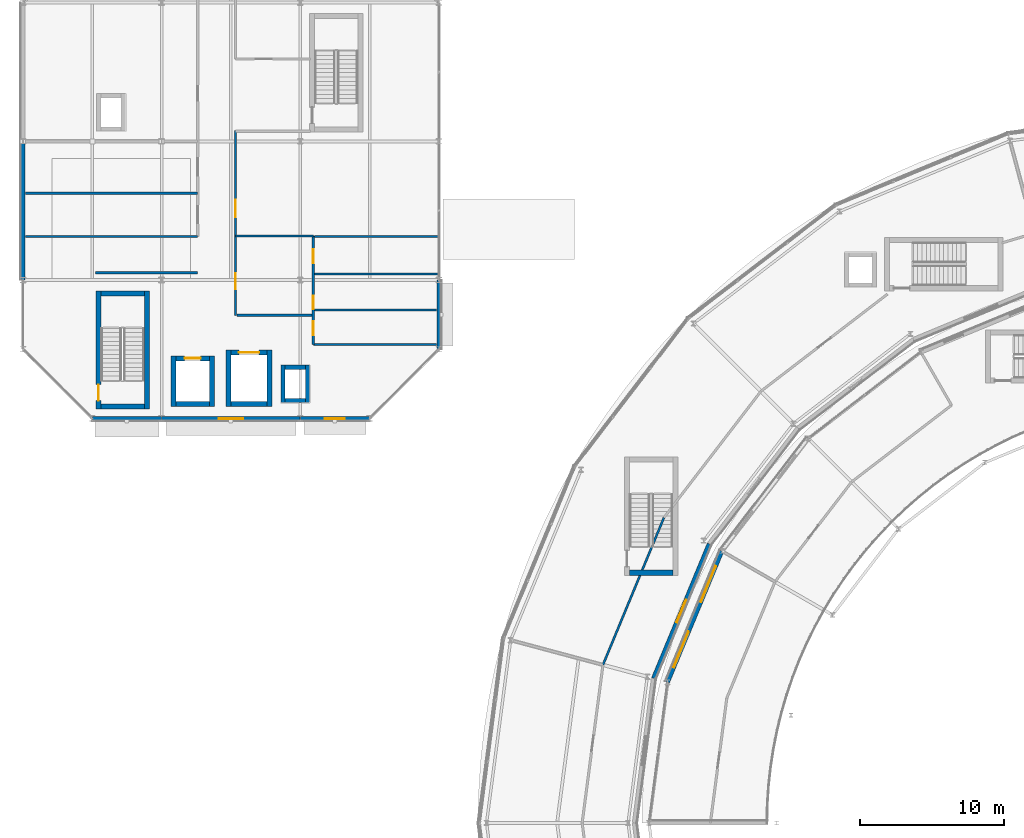
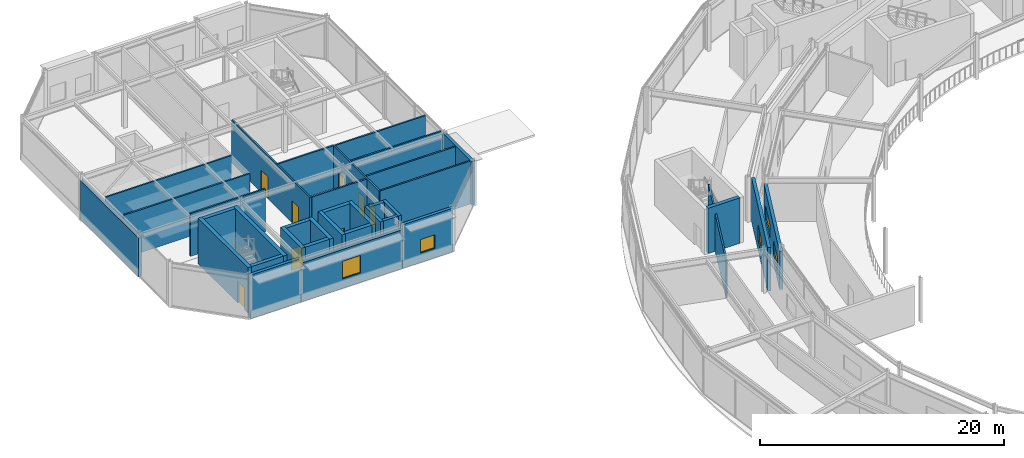
# One storey, part 103 of 133: 36 walls, 8 doors, 5 windows, 13 openings.
"""IFC4 building model written with IfcOpenShell, lengths in metres."""

from ifc_helpers import new_model, si_unit, direction, frame, frame_2d, origin, place, context, subcontext, project, spatial, rectangle, extrude, material, layer, layer_set, type_object, element, fill, save


model = new_model("IFC4")

# Units and contexts
model_context = context("Model", 3, precision=1e-05, world=origin(), true_north=direction((0.0, 1.0)))
body_context = subcontext(model_context, "Body", "Model", "MODEL_VIEW")
ifc_project = project(units=[si_unit("LENGTHUNIT", "METRE"), si_unit("AREAUNIT", "SQUARE_METRE"), si_unit("VOLUMEUNIT", "CUBIC_METRE"), si_unit("PLANEANGLEUNIT", "RADIAN"), si_unit("MASSUNIT", "GRAM", prefix="KILO")], contexts=[model_context])

# Site, building, storey
site_placement = place(None, origin())
site = spatial("IfcSite", under=ifc_project, at=site_placement, CompositionType="ELEMENT")
building_placement = place(site_placement, origin())
building = spatial("IfcBuilding", under=site, at=building_placement, Name="Almandine Court Research Institute", CompositionType="ELEMENT")
storey_placement = place(building_placement, frame((0.0, 0.0, 9.800048828125)))
storey = spatial("IfcBuildingStorey", under=building, at=storey_placement, Name="L02", CompositionType="ELEMENT", Elevation=9.800048828125)

# Walls
ifc_material_1 = material(Name="Insulated Ochre Terracotta Rainscreen Wall", Category="masonry")
ifc_layer_1 = layer(ifc_material_1, 0.2900390625)
ifc_layer_set_1 = layer_set([ifc_layer_1], Name="Insulated Ochre Terracotta Rainscreen Wall")
wall_type_1 = type_object("IfcWallType", Name="Wall-EXT-TERR-290", PredefinedType="SOLIDWALL", material=ifc_layer_set_1)
wall_1_placement = place(storey_placement, frame((6.0, 93.60400390625, 0.0), z_axis=(0.0, 0.0, 1.0), x_axis=(0.0, 1.0, 0.0)))
element("IfcWall", 1, at=wall_1_placement, inside=storey, type_object=wall_type_1, Name="L02 Cleanroom West Wall 2", PredefinedType="SOLIDWALL", context=body_context, shape_type="SweptSolid", body=[
    extrude(rectangle(XDim=9.592041015625, YDim=0.2900390625, at=frame_2d((4.7958984375, 0.0))), origin(), (0.0, 0.0, 1.0), 3.884033203125),
])
wall_2_placement = place(storey_placement, frame((34.800048828125, 93.595947265625, 0.0), z_axis=(0.0, 0.0, 1.0), x_axis=(0.0, -1.0, 0.0)))
element("IfcWall", 2, at=wall_2_placement, inside=storey, type_object=wall_type_1, Name="L02 Cleanroom East Wall 1", PredefinedType="SOLIDWALL", context=body_context, shape_type="SweptSolid", body=[
    extrude(rectangle(XDim=4.7919921875, YDim=0.2900390625, at=frame_2d((2.39599609375, 0.0))), origin(), (0.0, 0.0, 1.0), 4.369873046875),
])

# Wall, opening, window
wall_3_placement = place(storey_placement, frame((29.99609375, 84.0, 0.0), z_axis=(0.0, 0.0, 1.0), x_axis=(-1.0, 0.0, 0.0)))
wall_3 = element("IfcWall", 3, at=wall_3_placement, inside=storey, type_object=wall_type_1, Name="L02 Cleanroom South Wall 1", PredefinedType="SOLIDWALL", context=body_context, shape_type="SweptSolid", body=[
    extrude(rectangle(XDim=4.7919921875, YDim=0.2900390625, at=frame_2d((2.39599609375, 0.0))), origin(), (0.0, 0.0, 1.0), 4.369873046875),
])
opening_1_placement = place(wall_3_placement, frame((1.7060546875, 0.0, 0.949951171875)))
opening_1 = element("IfcOpeningElement", 4, at=opening_1_placement, cuts=wall_3, Name="Opening WN-29", PredefinedType="OPENING", context=body_context, shape_type="SweptSolid", body=[
    extrude(rectangle(XDim=1.3798828125, YDim=1.35009765625, at=frame_2d((0.68994140625, 0.675048828125))), frame((0.0, 0.155029296875, 0.0), z_axis=(0.0, -1.0, 0.0), x_axis=(1.0, 0.0, 0.0)), (0.0, 0.0, 1.0), 0.31005859375),
])
ifc_material_2 = material(Name="Thermally Broken Low-E Double-Glazed Window", Category="glass")
window_type_1 = type_object("IfcWindowType", Name="Win-WN-29-1380x1350", PartitioningType="SINGLE_PANEL", PredefinedType="WINDOW", material=ifc_material_2)
window_1_placement = place(opening_1_placement, origin())
window_1 = element("IfcWindow", 5, at=window_1_placement, inside=storey, type_object=window_type_1, Name="L02 Modular Recessed Low-E Window 45", OverallHeight=1.35009765625, OverallWidth=1.3798828125, PartitioningType="SINGLE_PANEL", PredefinedType="WINDOW", context=body_context, shape_type="SweptSolid", body=[
    extrude(rectangle(XDim=1.3798828125, YDim=1.35009765625, at=frame_2d((0.68994140625, 0.675048828125))), frame((0.0, 0.030029296875, 0.0), z_axis=(0.0, -1.0, 0.0), x_axis=(1.0, 0.0, 0.0)), (0.0, 0.0, 1.0), 0.06005859375),
])
fill(opening_1, window_1)

wall_4_placement = place(storey_placement, frame((25.196044921875, 84.0, 0.0), z_axis=(0.0, 0.0, 1.0), x_axis=(-1.0, 0.0, 0.0)))
wall_4 = element("IfcWall", 6, at=wall_4_placement, inside=storey, type_object=wall_type_1, Name="L02 Cleanroom South Wall 2", PredefinedType="SOLIDWALL", context=body_context, shape_type="SweptSolid", body=[
    extrude(rectangle(XDim=9.592041015625, YDim=0.2900390625, at=frame_2d((4.7958984375, 0.0))), origin(), (0.0, 0.0, 1.0), 3.884033203125),
])
opening_2_placement = place(wall_4_placement, frame((3.94091796875, 0.0, 0.949951171875)))
opening_2 = element("IfcOpeningElement", 7, at=opening_2_placement, cuts=wall_4, Name="Opening WN-30", PredefinedType="OPENING", context=body_context, shape_type="SweptSolid", body=[
    extrude(rectangle(XDim=1.7099609375, YDim=1.75, at=frame_2d((0.85498046875, 0.875))), frame((0.0, 0.155029296875, 0.0), z_axis=(0.0, -1.0, 0.0), x_axis=(1.0, 0.0, 0.0)), (0.0, 0.0, 1.0), 0.31005859375),
])
window_type_2 = type_object("IfcWindowType", Name="Win-WN-30-1710x1750", PartitioningType="SINGLE_PANEL", PredefinedType="WINDOW", material=ifc_material_2)
window_2_placement = place(opening_2_placement, origin())
window_2 = element("IfcWindow", 8, at=window_2_placement, inside=storey, type_object=window_type_2, Name="L02 Modular Recessed Low-E Window 46", OverallHeight=1.75, OverallWidth=1.7099609375, PartitioningType="SINGLE_PANEL", PredefinedType="WINDOW", context=body_context, shape_type="SweptSolid", body=[
    extrude(rectangle(XDim=1.7099609375, YDim=1.75, at=frame_2d((0.85498046875, 0.875))), frame((0.0, 0.030029296875, 0.0), z_axis=(0.0, -1.0, 0.0), x_axis=(1.0, 0.0, 0.0)), (0.0, 0.0, 1.0), 0.06005859375),
])
fill(opening_2, window_2)

# Wall
wall_5_placement = place(storey_placement, frame((15.595947265625, 84.0, 0.0), z_axis=(0.0, 0.0, 1.0), x_axis=(-1.0, 0.0, 0.0)))
element("IfcWall", 9, at=wall_5_placement, inside=storey, type_object=wall_type_1, Name="L02 Cleanroom South Wall 3", PredefinedType="SOLIDWALL", context=body_context, shape_type="SweptSolid", body=[
    extrude(rectangle(XDim=4.7919921875, YDim=0.2900390625, at=frame_2d((2.39599609375, 0.0))), origin(), (0.0, 0.0, 1.0), 4.369873046875),
])

# Wall, opening, window
wall_6_placement = place(storey_placement, frame((53.51708984375, 75.324951171875, 0.0), z_axis=(0.0, 0.0, 1.0), x_axis=(-0.382733240508, -0.92385889973, 0.0)))
wall_6 = element("IfcWall", 10, at=wall_6_placement, inside=storey, type_object=wall_type_1, Name="L02 Drum Inner Gallery Wall 10", PredefinedType="SOLIDWALL", context=body_context, shape_type="SweptSolid", body=[
    extrude(rectangle(XDim=10.08056640625, YDim=0.2900390625, at=frame_2d((5.040283203125, 0.0))), origin(), (0.0, 0.0, 1.0), 4.369873046875),
])
opening_3_placement = place(wall_6_placement, frame((4.18505859375, 0.0, 0.949951171875)))
opening_3 = element("IfcOpeningElement", 11, at=opening_3_placement, cuts=wall_6, Name="Opening WN-23", PredefinedType="OPENING", context=body_context, shape_type="SweptSolid", body=[
    extrude(rectangle(XDim=1.7099609375, YDim=1.590087890625, at=frame_2d((0.85498046875, 0.794921875))), frame((0.0, 0.155029296875, 0.0), z_axis=(0.0, -1.0, 0.0), x_axis=(1.0, 0.0, 0.0)), (0.0, 0.0, 1.0), 0.31005859375),
])
window_type_3 = type_object("IfcWindowType", Name="Win-WN-23-1710x1590", PartitioningType="SINGLE_PANEL", PredefinedType="WINDOW", material=ifc_material_2)
window_3_placement = place(opening_3_placement, origin())
window_3 = element("IfcWindow", 12, at=window_3_placement, inside=storey, type_object=window_type_3, Name="L02 Modular Recessed Low-E Window 270", OverallHeight=1.590087890625, OverallWidth=1.7099609375, PartitioningType="SINGLE_PANEL", PredefinedType="WINDOW", context=body_context, shape_type="SweptSolid", body=[
    extrude(rectangle(XDim=1.7099609375, YDim=1.590087890625, at=frame_2d((0.85498046875, 0.794921875))), frame((0.0, 0.030029296875, 0.0), z_axis=(0.0, -1.0, 0.0), x_axis=(1.0, 0.0, 0.0)), (0.0, 0.0, 1.0), 0.06005859375),
])
fill(opening_3, window_3)

# Wall, openings, windows
wall_7_placement = place(storey_placement, frame((50.634033203125, 65.748046875, 0.0), z_axis=(0.0, 0.0, 1.0), x_axis=(0.382759423628, 0.923848052238, 0.0)))
wall_7 = element("IfcWall", 13, at=wall_7_placement, inside=storey, type_object=wall_type_1, Name="L02 Interaction Atrium Perimeter Wall 10", PredefinedType="SOLIDWALL", context=body_context, shape_type="SweptSolid", body=[
    extrude(rectangle(XDim=9.82080078125, YDim=0.2900390625, at=frame_2d((4.910400390625, 0.0))), origin(), (0.0, 0.0, 1.0), 3.81103515625),
])
opening_4_placement = place(wall_7_placement, frame((1.10498046875, 0.0, 0.949951171875)))
opening_4 = element("IfcOpeningElement", 14, at=opening_4_placement, cuts=wall_7, Name="Opening WN-19", PredefinedType="OPENING", context=body_context, shape_type="SweptSolid", body=[
    extrude(rectangle(XDim=2.699951171875, YDim=1.39990234375, at=frame_2d((1.35009765625, 0.699951171875))), frame((0.0, 0.155029296875, 0.0), z_axis=(0.0, -1.0, 0.0), x_axis=(1.0, 0.0, 0.0)), (0.0, 0.0, 1.0), 0.31005859375),
])
opening_5_placement = place(wall_7_placement, frame((6.01611328125, 0.0, 0.949951171875)))
opening_5 = element("IfcOpeningElement", 15, at=opening_5_placement, cuts=wall_7, Name="Opening WN-19", PredefinedType="OPENING", context=body_context, shape_type="SweptSolid", body=[
    extrude(rectangle(XDim=2.699951171875, YDim=1.39990234375, at=frame_2d((1.35009765625, 0.699951171875))), frame((0.0, 0.155029296875, 0.0), z_axis=(0.0, -1.0, 0.0), x_axis=(1.0, 0.0, 0.0)), (0.0, 0.0, 1.0), 0.31005859375),
])
window_type_4 = type_object("IfcWindowType", Name="Win-WN-19-2700x1400", PartitioningType="SINGLE_PANEL", PredefinedType="WINDOW", material=ifc_material_2)
window_4_placement = place(opening_4_placement, origin())
window_4 = element("IfcWindow", 16, at=window_4_placement, inside=storey, type_object=window_type_4, Name="L02 Modular Recessed Low-E Window 369", OverallHeight=1.39990234375, OverallWidth=2.699951171875, PartitioningType="SINGLE_PANEL", PredefinedType="WINDOW", context=body_context, shape_type="SweptSolid", body=[
    extrude(rectangle(XDim=2.699951171875, YDim=1.39990234375, at=frame_2d((1.35009765625, 0.699951171875))), frame((0.0, 0.030029296875, 0.0), z_axis=(0.0, -1.0, 0.0), x_axis=(1.0, 0.0, 0.0)), (0.0, 0.0, 1.0), 0.06005859375),
])
fill(opening_4, window_4)
window_5_placement = place(opening_5_placement, origin())
window_5 = element("IfcWindow", 17, at=window_5_placement, inside=storey, type_object=window_type_4, Name="L02 Modular Recessed Low-E Window 370", OverallHeight=1.39990234375, OverallWidth=2.699951171875, PartitioningType="SINGLE_PANEL", PredefinedType="WINDOW", context=body_context, shape_type="SweptSolid", body=[
    extrude(rectangle(XDim=2.699951171875, YDim=1.39990234375, at=frame_2d((1.35009765625, 0.699951171875))), frame((0.0, 0.030029296875, 0.0), z_axis=(0.0, -1.0, 0.0), x_axis=(1.0, 0.0, 0.0)), (0.0, 0.0, 1.0), 0.06005859375),
])
fill(opening_5, window_5)

# Walls
ifc_material_3 = material(Name="Acoustic Steel-Stud Gypsum Partition Wall", Category="steel")
ifc_layer_2 = layer(ifc_material_3, 0.14990234375)
ifc_layer_set_2 = layer_set([ifc_layer_2], Name="Acoustic Steel-Stud Gypsum Partition Wall")
wall_type_2 = type_object("IfcWallType", Name="Wall-PART-150", PredefinedType="PARTITIONING", material=ifc_layer_set_2)
wall_8_placement = place(storey_placement, frame((26.179931640625, 91.52001953125, 0.0), z_axis=(0.0, 0.0, 1.0), x_axis=(1.0, 0.0, 0.0)))
element("IfcWall", 18, at=wall_8_placement, inside=storey, type_object=wall_type_2, Name="L02 Interior Partition W-V3-L02-WCH-1", PredefinedType="PARTITIONING", context=body_context, shape_type="SweptSolid", body=[
    extrude(rectangle(XDim=8.4599609375, YDim=0.14990234375, at=frame_2d((4.22998046875, 0.0))), origin(), (0.0, 0.0, 1.0), 4.300048828125),
])
for number, where, z_axis, x_axis, name in (
    (19, (26.179931640625, 94.02001953125, 0.0), (0.0, 0.0, 1.0), (1.0, 0.0, 0.0), "L02 Interior Partition W-V3-L02-WCH-2"),
    (20, (26.179931640625, 96.60009765625, 0.0), (0.0, 0.0, 1.0), (1.0, 0.0, 0.0), "L02 Interior Partition W-V3-L02-WCH-3"),
):
    element("IfcWall", number, at=place(storey_placement, frame(where, z_axis=z_axis, x_axis=x_axis)), inside=storey, type_object=wall_type_2, Name=name, PredefinedType="PARTITIONING", context=body_context, shape_type="SweptSolid", body=[
        extrude(rectangle(XDim=8.56005859375, YDim=0.14990234375, at=frame_2d((4.280029296875, 0.0))), origin(), (0.0, 0.0, 1.0), 4.300048828125),
    ])
wall_9_placement = place(storey_placement, frame((26.10009765625, 89.1201171875, 0.0), z_axis=(0.0, 0.0, 1.0), x_axis=(1.0, 0.0, 0.0)))
element("IfcWall", 21, at=wall_9_placement, inside=storey, type_object=wall_type_2, Name="L02 Interior Partition W-V3-L02-WCS", PredefinedType="PARTITIONING", context=body_context, shape_type="SweptSolid", body=[
    extrude(rectangle(XDim=8.539794921875, YDim=0.14990234375, at=frame_2d((4.27001953125, 0.0))), origin(), (0.0, 0.0, 1.0), 4.300048828125),
])

# Wall, openings, doors
wall_10_placement = place(storey_placement, frame((26.10009765625, 89.1201171875, 0.0), z_axis=(0.0, 0.0, 1.0), x_axis=(0.0, 1.0, 0.0)))
wall_10 = element("IfcWall", 22, at=wall_10_placement, inside=storey, type_object=wall_type_2, Name="L02 Interior Partition W-V3-L02-WC-ALL", PredefinedType="PARTITIONING", context=body_context, shape_type="SweptSolid", body=[
    extrude(rectangle(XDim=7.52978515625, YDim=0.14990234375, at=frame_2d((3.764892578125, 0.0))), origin(), (0.0, 0.0, 1.0), 4.300048828125),
])
opening_6_placement = place(wall_10_placement, frame((0.659912109375, 0.0, 0.0)))
opening_6 = element("IfcOpeningElement", 23, at=opening_6_placement, cuts=wall_10, Name="Opening D-01", PredefinedType="OPENING", context=body_context, shape_type="SweptSolid", body=[
    extrude(rectangle(XDim=0.949951171875, YDim=2.10009765625, at=frame_2d((0.47509765625, 1.050048828125))), frame((0.0, 0.0849609375, 0.0), z_axis=(0.0, -1.0, 0.0), x_axis=(1.0, 0.0, 0.0)), (0.0, 0.0, 1.0), 0.169921875),
])
opening_7_placement = place(wall_10_placement, frame((2.43994140625, 0.0, 0.0)))
opening_7 = element("IfcOpeningElement", 24, at=opening_7_placement, cuts=wall_10, Name="Opening D-01", PredefinedType="OPENING", context=body_context, shape_type="SweptSolid", body=[
    extrude(rectangle(XDim=0.949951171875, YDim=2.10009765625, at=frame_2d((0.47509765625, 1.050048828125))), frame((0.0, 0.0849609375, 0.0), z_axis=(0.0, -1.0, 0.0), x_axis=(1.0, 0.0, 0.0)), (0.0, 0.0, 1.0), 0.169921875),
])
opening_8_placement = place(wall_10_placement, frame((5.639892578125, 0.0, 0.0)))
opening_8 = element("IfcOpeningElement", 25, at=opening_8_placement, cuts=wall_10, Name="Opening D-01", PredefinedType="OPENING", context=body_context, shape_type="SweptSolid", body=[
    extrude(rectangle(XDim=0.949951171875, YDim=2.10009765625, at=frame_2d((0.47509765625, 1.050048828125))), frame((0.0, 0.0849609375, 0.0), z_axis=(0.0, -1.0, 0.0), x_axis=(1.0, 0.0, 0.0)), (0.0, 0.0, 1.0), 0.169921875),
])
ifc_material_4 = material(Name="Solid-Core Timber Acoustic Room Door", Category="wood")
door_type_1 = type_object("IfcDoorType", Name="Door-INT-950", OperationType="NOTDEFINED", PredefinedType="DOOR", material=ifc_material_4)
door_1_placement = place(opening_6_placement, origin())
door_1 = element("IfcDoor", 26, at=door_1_placement, inside=storey, type_object=door_type_1, Name="L02 V3 Male Toilet Door", OperationType="SINGLE_SWING_RIGHT", OverallHeight=2.10009765625, OverallWidth=0.949951171875, PredefinedType="DOOR", context=body_context, shape_type="SweptSolid", body=[
    extrude(rectangle(XDim=0.949951171875, YDim=2.10009765625, at=frame_2d((0.47509765625, 1.050048828125))), frame((0.0, 0.02490234375, 0.0), z_axis=(0.0, -1.0, 0.0), x_axis=(1.0, 0.0, 0.0)), (0.0, 0.0, 1.0), 0.050048828125),
])
fill(opening_6, door_1)
door_2_placement = place(opening_7_placement, origin())
door_2 = element("IfcDoor", 27, at=door_2_placement, inside=storey, type_object=door_type_1, Name="L02 V3 Female Toilet Door", OperationType="SINGLE_SWING_LEFT", OverallHeight=2.10009765625, OverallWidth=0.949951171875, PredefinedType="DOOR", context=body_context, shape_type="SweptSolid", body=[
    extrude(rectangle(XDim=0.949951171875, YDim=2.10009765625, at=frame_2d((0.47509765625, 1.050048828125))), frame((0.0, 0.02490234375, 0.0), z_axis=(0.0, -1.0, 0.0), x_axis=(1.0, 0.0, 0.0)), (0.0, 0.0, 1.0), 0.050048828125),
])
fill(opening_7, door_2)
door_3_placement = place(opening_8_placement, origin())
door_3 = element("IfcDoor", 28, at=door_3_placement, inside=storey, type_object=door_type_1, Name="L02 V3 Accessible WC Door", OperationType="SINGLE_SWING_RIGHT", OverallHeight=2.10009765625, OverallWidth=0.949951171875, PredefinedType="DOOR", context=body_context, shape_type="SweptSolid", body=[
    extrude(rectangle(XDim=0.949951171875, YDim=2.10009765625, at=frame_2d((0.47509765625, 1.050048828125))), frame((0.0, 0.02490234375, 0.0), z_axis=(0.0, -1.0, 0.0), x_axis=(1.0, 0.0, 0.0)), (0.0, 0.0, 1.0), 0.050048828125),
])
fill(opening_8, door_3)

# Walls
wall_11_placement = place(storey_placement, frame((6.159912109375, 96.6201171875, 0.0), z_axis=(0.0, 0.0, 1.0), x_axis=(1.0, 0.0, 0.0)))
element("IfcWall", 29, at=wall_11_placement, inside=storey, type_object=wall_type_2, Name="L02 Interior Partition W-V3-L02-CSW", PredefinedType="PARTITIONING", context=body_context, shape_type="SweptSolid", body=[
    extrude(rectangle(XDim=11.940185546875, YDim=0.14990234375, at=frame_2d((5.97021484375, 0.0))), origin(), (0.0, 0.0, 1.0), 4.300048828125),
])
wall_12_placement = place(storey_placement, frame((11.02001953125, 94.10009765625, 0.0), z_axis=(0.0, 0.0, 1.0), x_axis=(1.0, 0.0, 0.0)))
element("IfcWall", 30, at=wall_12_placement, inside=storey, type_object=wall_type_2, Name="L02 Interior Partition W-V3-L02-WS", PredefinedType="PARTITIONING", context=body_context, shape_type="SweptSolid", body=[
    extrude(rectangle(XDim=7.080078125, YDim=0.14990234375, at=frame_2d((3.5400390625, 0.0))), origin(), (0.0, 0.0, 1.0), 4.300048828125),
])

# Wall, openings, doors
wall_13_placement = place(storey_placement, frame((20.719970703125, 91.14990234375, 0.0), z_axis=(0.0, 0.0, 1.0), x_axis=(0.0, 1.0, 0.0)))
wall_13 = element("IfcWall", 31, at=wall_13_placement, inside=storey, type_object=wall_type_2, Name="L02 Interior Partition W-V3-L02-CE", PredefinedType="PARTITIONING", context=body_context, shape_type="SweptSolid", body=[
    extrude(rectangle(XDim=12.800048828125, YDim=0.14990234375, at=frame_2d((6.39990234375, 0.0))), origin(), (0.0, 0.0, 1.0), 4.300048828125),
])
opening_9_placement = place(wall_13_placement, frame((1.800048828125, 0.0, 0.0)))
opening_9 = element("IfcOpeningElement", 32, at=opening_9_placement, cuts=wall_13, Name="Opening D-03", PredefinedType="OPENING", context=body_context, shape_type="SweptSolid", body=[
    extrude(rectangle(XDim=1.10009765625, YDim=2.199951171875, at=frame_2d((0.550048828125, 1.10009765625))), frame((0.0, 0.0849609375, 0.0), z_axis=(0.0, -1.0, 0.0), x_axis=(1.0, 0.0, 0.0)), (0.0, 0.0, 1.0), 0.169921875),
])
opening_10_placement = place(wall_13_placement, frame((6.800048828125, 0.0, 0.0)))
opening_10 = element("IfcOpeningElement", 33, at=opening_10_placement, cuts=wall_13, Name="Opening D-04", PredefinedType="OPENING", context=body_context, shape_type="SweptSolid", body=[
    extrude(rectangle(XDim=1.199951171875, YDim=2.199951171875, at=frame_2d((0.60009765625, 1.10009765625))), frame((0.0, 0.0849609375, 0.0), z_axis=(0.0, -1.0, 0.0), x_axis=(1.0, 0.0, 0.0)), (0.0, 0.0, 1.0), 0.169921875),
])
ifc_material_5 = material(Name="Acoustic Vision-Panel Seminar Door")
door_type_2 = type_object("IfcDoorType", Name="Door-INT-1100", OperationType="NOTDEFINED", PredefinedType="DOOR", material=ifc_material_5)
door_4_placement = place(opening_9_placement, origin())
door_4 = element("IfcDoor", 34, at=door_4_placement, inside=storey, type_object=door_type_2, Name="L02 Instrument Room Door", OperationType="SINGLE_SWING_LEFT", OverallHeight=2.199951171875, OverallWidth=1.10009765625, PredefinedType="DOOR", context=body_context, shape_type="SweptSolid", body=[
    extrude(rectangle(XDim=1.10009765625, YDim=2.199951171875, at=frame_2d((0.550048828125, 1.10009765625))), frame((0.0, 0.02490234375, 0.0), z_axis=(0.0, -1.0, 0.0), x_axis=(1.0, 0.0, 0.0)), (0.0, 0.0, 1.0), 0.050048828125),
])
fill(opening_9, door_4)
ifc_material_6 = material(Name="Wide Acoustic Laboratory Suite Door")
door_type_3 = type_object("IfcDoorType", Name="Door-INT-1200", OperationType="NOTDEFINED", PredefinedType="DOOR", material=ifc_material_6)
door_5_placement = place(opening_10_placement, origin())
door_5 = element("IfcDoor", 35, at=door_5_placement, inside=storey, type_object=door_type_3, Name="L02 Nanofabrication Lab Door", OperationType="SINGLE_SWING_RIGHT", OverallHeight=2.199951171875, OverallWidth=1.199951171875, PredefinedType="DOOR", context=body_context, shape_type="SweptSolid", body=[
    extrude(rectangle(XDim=1.199951171875, YDim=2.199951171875, at=frame_2d((0.60009765625, 1.10009765625))), frame((0.0, 0.02490234375, 0.0), z_axis=(0.0, -1.0, 0.0), x_axis=(1.0, 0.0, 0.0)), (0.0, 0.0, 1.0), 0.050048828125),
])
fill(opening_10, door_5)

# Walls
wall_14_placement = place(storey_placement, frame((20.820068359375, 91.14990234375, 0.0), z_axis=(0.0, 0.0, 1.0), x_axis=(1.0, 0.0, 0.0)))
element("IfcWall", 36, at=wall_14_placement, inside=storey, type_object=wall_type_2, Name="L02 Interior Partition W-V3-L02-CES", PredefinedType="PARTITIONING", context=body_context, shape_type="SweptSolid", body=[
    extrude(rectangle(XDim=5.199951171875, YDim=0.14990234375, at=frame_2d((2.60009765625, 0.0))), origin(), (0.0, 0.0, 1.0), 4.300048828125),
])
wall_15_placement = place(storey_placement, frame((20.719970703125, 96.64990234375, 0.0), z_axis=(0.0, 0.0, 1.0), x_axis=(1.0, 0.0, 0.0)))
element("IfcWall", 37, at=wall_15_placement, inside=storey, type_object=wall_type_2, Name="L02 Interior Partition W-V3-L02-SUBN", PredefinedType="PARTITIONING", context=body_context, shape_type="SweptSolid", body=[
    extrude(rectangle(XDim=5.380126953125, YDim=0.14990234375, at=frame_2d((2.68994140625, 0.0))), origin(), (0.0, 0.0, 1.0), 4.300048828125),
])
wall_16_placement = place(storey_placement, frame((6.159912109375, 99.60009765625, 0.0), z_axis=(0.0, 0.0, 1.0), x_axis=(1.0, 0.0, 0.0)))
element("IfcWall", 38, at=wall_16_placement, inside=storey, type_object=wall_type_2, Name="L02 Interior Partition W-V3-L02-SA", PredefinedType="PARTITIONING", context=body_context, shape_type="SweptSolid", body=[
    extrude(rectangle(XDim=11.940185546875, YDim=0.14990234375, at=frame_2d((5.97021484375, 0.0))), origin(), (0.0, 0.0, 1.0), 4.300048828125),
])
wall_17_placement = place(storey_placement, frame((50.384033203125, 77.139892578125, 0.0), z_axis=(0.0, 0.0, 1.0), x_axis=(-0.382644845446, -0.923895514793, 0.0)))
element("IfcWall", 39, at=wall_17_placement, inside=storey, type_object=wall_type_2, Name="L02 Interior Partition W-V5-L02-CHD-10", PredefinedType="PARTITIONING", context=body_context, shape_type="SweptSolid", body=[
    extrude(rectangle(XDim=11.03662109375, YDim=0.14990234375, at=frame_2d((5.518310546875, 0.0))), origin(), (0.0, 0.0, 1.0), 3.737060546875),
])
ifc_material_7 = material(Name="Concrete C40/50", Category="concrete")
ifc_layer_3 = layer(ifc_material_7, 0.300048828125)
ifc_layer_set_3 = layer_set([ifc_layer_3], Name="Concrete C40/50")
wall_type_3 = type_object("IfcWallType", Name="Wall-SW-CORE-300", PredefinedType="SHEAR", material=ifc_layer_set_3)
wall_18_placement = place(storey_placement, frame((24.0, 85.10009765625, 0.0), z_axis=(0.0, 0.0, 1.0), x_axis=(0.0, 1.0, 0.0)))
element("IfcWall", 40, at=wall_18_placement, inside=storey, type_object=wall_type_3, Name="L02 MEP Riser RS-V3A W Shear Wall", PredefinedType="SHEAR", context=body_context, shape_type="SweptSolid", body=[
    extrude(rectangle(XDim=2.599853515625, YDim=0.300048828125, at=frame_2d((1.2998046875, 0.0))), origin(), (0.0, 0.0, 1.0), 4.369873046875),
])
wall_19_placement = place(storey_placement, frame((24.14990234375, 87.550048828125, 0.0), z_axis=(0.0, 0.0, 1.0), x_axis=(1.0, 0.0, 0.0)))
element("IfcWall", 41, at=wall_19_placement, inside=storey, type_object=wall_type_3, Name="L02 MEP Riser RS-V3A N Shear Wall", PredefinedType="SHEAR", context=body_context, shape_type="SweptSolid", body=[
    extrude(rectangle(XDim=1.400146484375, YDim=0.300048828125, at=frame_2d((0.7001953125, 0.0))), origin(), (0.0, 0.0, 1.0), 4.369873046875),
])
wall_20_placement = place(storey_placement, frame((25.699951171875, 87.699951171875, 0.0), z_axis=(0.0, 0.0, 1.0), x_axis=(0.0, -1.0, 0.0)))
element("IfcWall", 42, at=wall_20_placement, inside=storey, type_object=wall_type_3, Name="L02 MEP Riser RS-V3A E Shear Wall", PredefinedType="SHEAR", context=body_context, shape_type="SweptSolid", body=[
    extrude(rectangle(XDim=2.599853515625, YDim=0.300048828125, at=frame_2d((1.2998046875, 0.0))), origin(), (0.0, 0.0, 1.0), 4.369873046875),
])
wall_21_placement = place(storey_placement, frame((25.550048828125, 85.25, 0.0), z_axis=(0.0, 0.0, 1.0), x_axis=(-1.0, 0.0, 0.0)))
element("IfcWall", 43, at=wall_21_placement, inside=storey, type_object=wall_type_3, Name="L02 MEP Riser RS-V3A S Shear Wall", PredefinedType="SHEAR", context=body_context, shape_type="SweptSolid", body=[
    extrude(rectangle(XDim=1.400146484375, YDim=0.300048828125, at=frame_2d((0.7001953125, 0.0))), origin(), (0.0, 0.0, 1.0), 4.369873046875),
])

# Wall, opening, door
ifc_layer_4 = layer(ifc_material_7, 0.35009765625)
ifc_layer_set_4 = layer_set([ifc_layer_4], Name="Concrete C40/50")
wall_type_4 = type_object("IfcWallType", Name="Wall-SW-CORE-350", PredefinedType="SHEAR", material=ifc_layer_set_4)
wall_22_placement = place(storey_placement, frame((11.22509765625, 84.64990234375, 0.0), z_axis=(0.0, 0.0, 1.0), x_axis=(0.0, 1.0, 0.0)))
wall_22 = element("IfcWall", 44, at=wall_22_placement, inside=storey, type_object=wall_type_4, Name="L02 ST-05 W Shear Wall", PredefinedType="SHEAR", context=body_context, shape_type="SweptSolid", body=[
    extrude(rectangle(XDim=8.2001953125, YDim=0.35009765625, at=frame_2d((4.10009765625, 0.0))), origin(), (0.0, 0.0, 1.0), 4.550048828125),
])
opening_11_placement = place(wall_22_placement, frame((0.60009765625, 0.0, 0.0)))
opening_11 = element("IfcOpeningElement", 45, at=opening_11_placement, cuts=wall_22, Name="Opening FD-STAIR", PredefinedType="OPENING", context=body_context, shape_type="SweptSolid", body=[
    extrude(rectangle(XDim=1.10009765625, YDim=2.14990234375, at=frame_2d((0.550048828125, 1.074951171875))), frame((0.0, 0.18505859375, 0.0), z_axis=(0.0, -1.0, 0.0), x_axis=(1.0, 0.0, 0.0)), (0.0, 0.0, 1.0), 0.3701171875),
])
ifc_material_8 = material(Name="Self-Closing Steel Exit Stair Fire Door", Category="steel")
door_type_4 = type_object("IfcDoorType", Name="Door-FD-STAIR-1100", OperationType="NOTDEFINED", PredefinedType="DOOR", material=ifc_material_8)
door_6_placement = place(opening_11_placement, origin())
door_6 = element("IfcDoor", 46, at=door_6_placement, inside=storey, type_object=door_type_4, Name="L02 Exit Stair ST-05 Fire Door", OperationType="SINGLE_SWING_RIGHT", OverallHeight=2.14990234375, OverallWidth=1.10009765625, PredefinedType="DOOR", context=body_context, shape_type="SweptSolid", body=[
    extrude(rectangle(XDim=1.10009765625, YDim=2.14990234375, at=frame_2d((0.550048828125, 1.074951171875))), frame((0.0, 0.02490234375, 0.0), z_axis=(0.0, -1.0, 0.0), x_axis=(1.0, 0.0, 0.0)), (0.0, 0.0, 1.0), 0.050048828125),
])
fill(opening_11, door_6)

# Walls
wall_23_placement = place(storey_placement, frame((11.39990234375, 92.675048828125, 0.0), z_axis=(0.0, 0.0, 1.0), x_axis=(1.0, 0.0, 0.0)))
element("IfcWall", 47, at=wall_23_placement, inside=storey, type_object=wall_type_4, Name="L02 ST-05 N Shear Wall", PredefinedType="SHEAR", context=body_context, shape_type="SweptSolid", body=[
    extrude(rectangle(XDim=3.0, YDim=0.35009765625, at=frame_2d((1.5, 0.0))), origin(), (0.0, 0.0, 1.0), 4.550048828125),
])
wall_24_placement = place(storey_placement, frame((14.574951171875, 92.85009765625, 0.0), z_axis=(0.0, 0.0, 1.0), x_axis=(0.0, -1.0, 0.0)))
element("IfcWall", 48, at=wall_24_placement, inside=storey, type_object=wall_type_4, Name="L02 ST-05 E Shear Wall", PredefinedType="SHEAR", context=body_context, shape_type="SweptSolid", body=[
    extrude(rectangle(XDim=8.2001953125, YDim=0.35009765625, at=frame_2d((4.10009765625, 0.0))), origin(), (0.0, 0.0, 1.0), 4.550048828125),
])
for number, where, z_axis, x_axis, name in (
    (49, (14.39990234375, 84.824951171875, 0.0), (0.0, 0.0, 1.0), (-1.0, 0.0, 0.0), "L02 ST-05 S Shear Wall"),
    (50, (51.0, 73.324951171875, 0.0), (0.0, 0.0, 1.0), (-1.0, 0.0, 0.0), "L02 ST-15 S Shear Wall"),
):
    element("IfcWall", number, at=place(storey_placement, frame(where, z_axis=z_axis, x_axis=x_axis)), inside=storey, type_object=wall_type_4, Name=name, PredefinedType="SHEAR", context=body_context, shape_type="SweptSolid", body=[
        extrude(rectangle(XDim=3.0, YDim=0.35009765625, at=frame_2d((1.5, 0.0))), origin(), (0.0, 0.0, 1.0), 4.550048828125),
    ])
wall_25_placement = place(storey_placement, frame((16.425048828125, 84.85009765625, 0.0), z_axis=(0.0, 0.0, 1.0), x_axis=(0.0, 1.0, 0.0)))
element("IfcWall", 51, at=wall_25_placement, inside=storey, type_object=wall_type_4, Name="L02 PL-02 Hoistway W Shear Wall", PredefinedType="SHEAR", context=body_context, shape_type="SweptSolid", body=[
    extrude(rectangle(XDim=3.5, YDim=0.35009765625, at=frame_2d((1.75, 0.0))), origin(), (0.0, 0.0, 1.0), 4.550048828125),
])

# Wall, opening, door
wall_26_placement = place(storey_placement, frame((16.60009765625, 88.175048828125, 0.0), z_axis=(0.0, 0.0, 1.0), x_axis=(1.0, 0.0, 0.0)))
wall_26 = element("IfcWall", 52, at=wall_26_placement, inside=storey, type_object=wall_type_4, Name="L02 PL-02 Hoistway N Shear Wall", PredefinedType="SHEAR", context=body_context, shape_type="SweptSolid", body=[
    extrude(rectangle(XDim=2.2998046875, YDim=0.35009765625, at=frame_2d((1.14990234375, 0.0))), origin(), (0.0, 0.0, 1.0), 4.550048828125),
])
opening_12_placement = place(wall_26_placement, frame((0.60009765625, 0.0, 0.0)))
opening_12 = element("IfcOpeningElement", 53, at=opening_12_placement, cuts=wall_26, Name="Opening LD-01", PredefinedType="OPENING", context=body_context, shape_type="SweptSolid", body=[
    extrude(rectangle(XDim=1.10009765625, YDim=2.14990234375, at=frame_2d((0.550048828125, 1.074951171875))), frame((0.0, 0.18505859375, 0.0), z_axis=(0.0, -1.0, 0.0), x_axis=(1.0, 0.0, 0.0)), (0.0, 0.0, 1.0), 0.3701171875),
])
ifc_material_9 = material(Name="Stainless Steel Lift Landing Sliding Door", Category="steel")
door_type_5 = type_object("IfcDoorType", Name="Door-LD-PASS-1100", OperationType="SLIDING_TO_LEFT", PredefinedType="USERDEFINED", material=ifc_material_9)
door_7_placement = place(opening_12_placement, origin())
door_7 = element("IfcDoor", 54, at=door_7_placement, inside=storey, type_object=door_type_5, Name="L02 Cleanroom Pavilion Passenger Lift PL-02 Sliding Landing Door", ObjectType="LANDING DOOR", OperationType="SLIDING_TO_LEFT", OverallHeight=2.14990234375, OverallWidth=1.10009765625, PredefinedType="USERDEFINED", context=body_context, shape_type="SweptSolid", body=[
    extrude(rectangle(XDim=1.10009765625, YDim=2.14990234375, at=frame_2d((0.550048828125, 1.074951171875))), frame((0.0, 0.02490234375, 0.0), z_axis=(0.0, -1.0, 0.0), x_axis=(1.0, 0.0, 0.0)), (0.0, 0.0, 1.0), 0.050048828125),
])
fill(opening_12, door_7)

# Walls
wall_27_placement = place(storey_placement, frame((19.074951171875, 88.35009765625, 0.0), z_axis=(0.0, 0.0, 1.0), x_axis=(0.0, -1.0, 0.0)))
element("IfcWall", 55, at=wall_27_placement, inside=storey, type_object=wall_type_4, Name="L02 PL-02 Hoistway E Shear Wall", PredefinedType="SHEAR", context=body_context, shape_type="SweptSolid", body=[
    extrude(rectangle(XDim=3.5, YDim=0.35009765625, at=frame_2d((1.75, 0.0))), origin(), (0.0, 0.0, 1.0), 4.550048828125),
])
wall_28_placement = place(storey_placement, frame((18.89990234375, 85.02490234375, 0.0), z_axis=(0.0, 0.0, 1.0), x_axis=(-1.0, 0.0, 0.0)))
element("IfcWall", 56, at=wall_28_placement, inside=storey, type_object=wall_type_4, Name="L02 PL-02 Hoistway S Shear Wall", PredefinedType="SHEAR", context=body_context, shape_type="SweptSolid", body=[
    extrude(rectangle(XDim=2.2998046875, YDim=0.35009765625, at=frame_2d((1.14990234375, 0.0))), origin(), (0.0, 0.0, 1.0), 4.550048828125),
])
wall_29_placement = place(storey_placement, frame((20.22509765625, 84.85009765625, 0.0), z_axis=(0.0, 0.0, 1.0), x_axis=(0.0, 1.0, 0.0)))
element("IfcWall", 57, at=wall_29_placement, inside=storey, type_object=wall_type_4, Name="L02 GL-02 Hoistway W Shear Wall", PredefinedType="SHEAR", context=body_context, shape_type="SweptSolid", body=[
    extrude(rectangle(XDim=3.89990234375, YDim=0.35009765625, at=frame_2d((1.949951171875, 0.0))), origin(), (0.0, 0.0, 1.0), 4.550048828125),
])

# Wall, opening, door
wall_30_placement = place(storey_placement, frame((20.39990234375, 88.574951171875, 0.0), z_axis=(0.0, 0.0, 1.0), x_axis=(1.0, 0.0, 0.0)))
wall_30 = element("IfcWall", 58, at=wall_30_placement, inside=storey, type_object=wall_type_4, Name="L02 GL-02 Hoistway N Shear Wall", PredefinedType="SHEAR", context=body_context, shape_type="SweptSolid", body=[
    extrude(rectangle(XDim=2.5, YDim=0.35009765625, at=frame_2d((1.25, 0.0))), origin(), (0.0, 0.0, 1.0), 4.550048828125),
])
opening_13_placement = place(wall_30_placement, frame((0.550048828125, 0.0, 0.0)))
opening_13 = element("IfcOpeningElement", 59, at=opening_13_placement, cuts=wall_30, Name="Opening LD-03", PredefinedType="OPENING", context=body_context, shape_type="SweptSolid", body=[
    extrude(rectangle(XDim=1.39990234375, YDim=2.300048828125, at=frame_2d((0.699951171875, 1.14990234375))), frame((0.0, 0.18505859375, 0.0), z_axis=(0.0, -1.0, 0.0), x_axis=(1.0, 0.0, 0.0)), (0.0, 0.0, 1.0), 0.3701171875),
])
ifc_material_10 = material(Name="Heavy Goods Lift Landing Sliding Door")
door_type_6 = type_object("IfcDoorType", Name="Door-LD-GOOD-1400", OperationType="SLIDING_TO_LEFT", PredefinedType="USERDEFINED", material=ifc_material_10)
door_8_placement = place(opening_13_placement, origin())
door_8 = element("IfcDoor", 60, at=door_8_placement, inside=storey, type_object=door_type_6, Name="L02 Cleanroom Equipment Goods Lift GL-02 Sliding Landing Door", ObjectType="LANDING DOOR", OperationType="SLIDING_TO_LEFT", OverallHeight=2.300048828125, OverallWidth=1.39990234375, PredefinedType="USERDEFINED", context=body_context, shape_type="SweptSolid", body=[
    extrude(rectangle(XDim=1.39990234375, YDim=2.300048828125, at=frame_2d((0.699951171875, 1.14990234375))), frame((0.0, 0.02490234375, 0.0), z_axis=(0.0, -1.0, 0.0), x_axis=(1.0, 0.0, 0.0)), (0.0, 0.0, 1.0), 0.050048828125),
])
fill(opening_13, door_8)

# Walls
wall_31_placement = place(storey_placement, frame((23.074951171875, 88.75, 0.0), z_axis=(0.0, 0.0, 1.0), x_axis=(0.0, -1.0, 0.0)))
element("IfcWall", 61, at=wall_31_placement, inside=storey, type_object=wall_type_4, Name="L02 GL-02 Hoistway E Shear Wall", PredefinedType="SHEAR", context=body_context, shape_type="SweptSolid", body=[
    extrude(rectangle(XDim=3.89990234375, YDim=0.35009765625, at=frame_2d((1.949951171875, 0.0))), origin(), (0.0, 0.0, 1.0), 4.550048828125),
])
wall_32_placement = place(storey_placement, frame((22.89990234375, 85.02490234375, 0.0), z_axis=(0.0, 0.0, 1.0), x_axis=(-1.0, 0.0, 0.0)))
element("IfcWall", 62, at=wall_32_placement, inside=storey, type_object=wall_type_4, Name="L02 GL-02 Hoistway S Shear Wall", PredefinedType="SHEAR", context=body_context, shape_type="SweptSolid", body=[
    extrude(rectangle(XDim=2.5, YDim=0.35009765625, at=frame_2d((1.25, 0.0))), origin(), (0.0, 0.0, 1.0), 4.550048828125),
])

save(model, "model.ifc")
